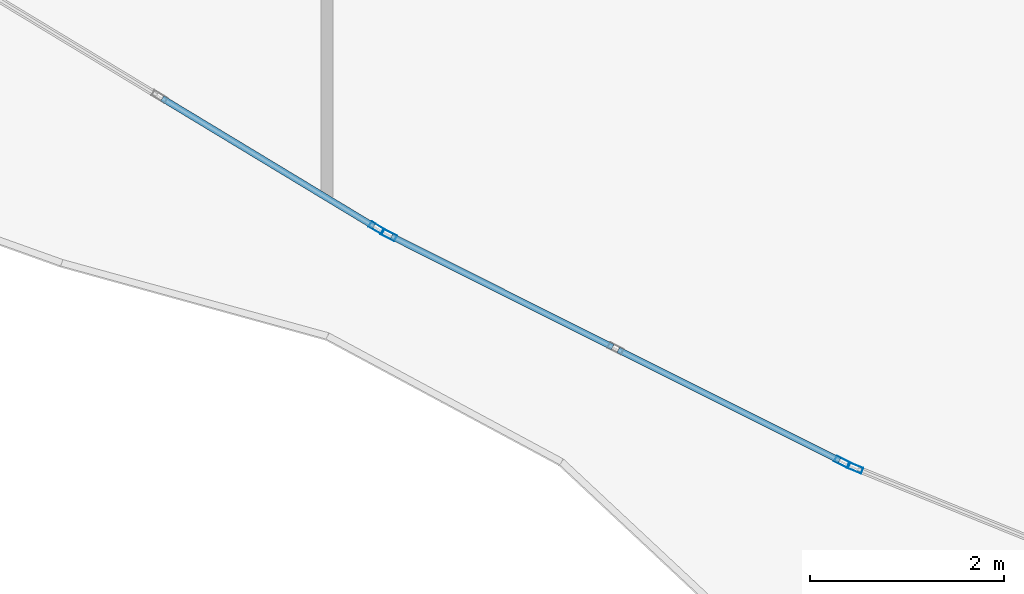
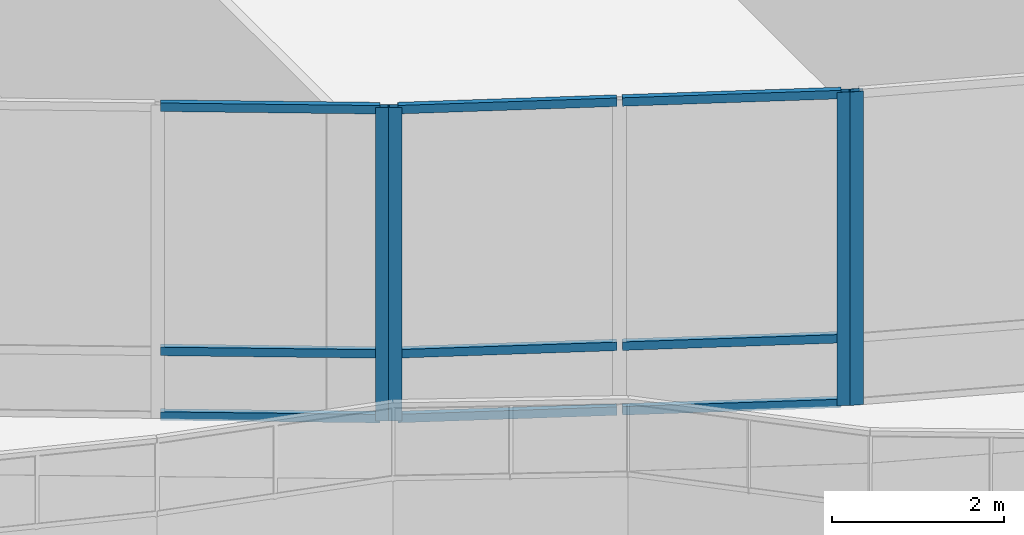
# One storey, part 15 of 168: 13 members, 3 elements without a shape of their own.
"""IFC4 building model written with IfcOpenShell, lengths in metres."""

from ifc_helpers import new_model, si_unit, direction, frame, origin, origin_2d, place, context, subcontext, project, spatial, hollow_rectangle, extrude, material, material_profile, profile_set, type_object, element, aggregate, save


model = new_model("IFC4")

# Units and contexts
model_context = context("Model", 3, precision=1e-05, world=origin(), true_north=direction((0.0, 1.0)))
body_context = subcontext(model_context, "Body", "Model", "MODEL_VIEW")
ifc_project = project(units=[si_unit("LENGTHUNIT", "METRE"), si_unit("AREAUNIT", "SQUARE_METRE"), si_unit("VOLUMEUNIT", "CUBIC_METRE"), si_unit("PLANEANGLEUNIT", "RADIAN"), si_unit("MASSUNIT", "GRAM", prefix="KILO")], contexts=[model_context])

# Site, building, storey
site_placement = place(None, origin())
site = spatial("IfcSite", under=ifc_project, at=site_placement, CompositionType="ELEMENT")
building_placement = place(site_placement, origin())
building = spatial("IfcBuilding", under=site, at=building_placement, Name="Selatvlak General Hospital", CompositionType="ELEMENT")
storey_placement = place(building_placement, frame((0.0, 0.0, 5.39990234375)))
storey = spatial("IfcBuildingStorey", under=building, at=storey_placement, Name="L01", CompositionType="ELEMENT", Elevation=5.39990234375)

# Curtain wall, member
ifc_material_1 = material(Name="Solar-control Low-E double glazing", Category="glass")
curtain_wall_type_1 = type_object("IfcCurtainWallType", Name="CW-CW-02", PredefinedType="USERDEFINED", material=ifc_material_1)
curtain_wall_1_placement = place(storey_placement, origin())
curtain_wall_1 = element("IfcCurtainWall", 1, at=curtain_wall_1_placement, inside=storey, type_object=curtain_wall_type_1, Name="Glazed facade curtain wall CW-L01-0180", ObjectType="UNITISED CURTAIN WALL", PredefinedType="USERDEFINED")
ifc_material_2 = material(Name="Dark anodised aluminium mullion", Category="aluminium")
ifc_material_profile_1 = material_profile(ifc_material_2, hollow_rectangle(XDim=0.06494140625, YDim=0.159912109375, WallThickness=0.00390625, at=origin_2d()), Name="AL-MUL 65x160x4")
ifc_profile_set_1 = profile_set([ifc_material_profile_1], Name="Dark anodised aluminium mullion")
member_type_1 = type_object("IfcMemberType", Name="CWM-01", PredefinedType="MULLION", material=ifc_profile_set_1)
member_1_placement = place(storey_placement, frame((28.236083984375, 17.976806640625, 0.0), z_axis=(0.0, 0.0, 1.0), x_axis=(-0.375301112069, -0.926902948145, 0.0)))
member_1 = element("IfcMember", 2, at=member_1_placement, type_object=member_type_1, Name="CW-02 mullion 3", PredefinedType="MULLION", context=body_context, shape_type="SweptSolid", body=[
    extrude(hollow_rectangle(XDim=0.06494140625, YDim=0.159912109375, WallThickness=0.00390625, at=origin_2d()), origin(), (0.0, 0.0, 1.0), 4.445068359375),
])
aggregate(curtain_wall_1, [member_1])

# Curtain wall, members
curtain_wall_type_2 = type_object("IfcCurtainWallType", Name="CW-CW-01", PredefinedType="USERDEFINED", material=ifc_material_1)
curtain_wall_2_placement = place(storey_placement, origin())
curtain_wall_2 = element("IfcCurtainWall", 3, at=curtain_wall_2_placement, inside=storey, type_object=curtain_wall_type_2, Name="Glazed facade curtain wall CW-L01-0181", ObjectType="UNITISED CURTAIN WALL", PredefinedType="USERDEFINED")
member_2_placement = place(storey_placement, frame((28.10498046875, 18.03857421875, 0.0), z_axis=(0.0, 0.0, 1.0), x_axis=(-0.44759190875, -0.894237934345, 0.0)))
member_2 = element("IfcMember", 4, at=member_2_placement, type_object=member_type_1, Name="CW-01 mullion 1", PredefinedType="MULLION", context=body_context, shape_type="SweptSolid", body=[
    extrude(hollow_rectangle(XDim=0.06494140625, YDim=0.159912109375, WallThickness=0.00390625, at=origin_2d()), origin(), (0.0, 0.0, 1.0), 4.445068359375),
])
member_3_placement = place(storey_placement, frame((23.43603515625, 20.37548828125, 0.0), z_axis=(0.0, 0.0, 1.0), x_axis=(-0.44759190875, -0.894237934345, 0.0)))
member_3 = element("IfcMember", 5, at=member_3_placement, type_object=member_type_1, Name="CW-01 mullion 3", PredefinedType="MULLION", context=body_context, shape_type="SweptSolid", body=[
    extrude(hollow_rectangle(XDim=0.06494140625, YDim=0.159912109375, WallThickness=0.00390625, at=origin_2d()), origin(), (0.0, 0.0, 1.0), 4.445068359375),
])

# Curtain wall, member
curtain_wall_3_placement = place(storey_placement, origin())
curtain_wall_3 = element("IfcCurtainWall", 6, at=curtain_wall_3_placement, inside=storey, type_object=curtain_wall_type_1, Name="Glazed facade curtain wall CW-L01-0182", ObjectType="UNITISED CURTAIN WALL", PredefinedType="USERDEFINED")
member_4_placement = place(storey_placement, frame((23.310302734375, 20.44775390625, 0.0), z_axis=(0.0, 0.0, 1.0), x_axis=(-0.517412897815, -0.855735878163, 0.0)))
member_4 = element("IfcMember", 7, at=member_4_placement, type_object=member_type_1, Name="CW-02 mullion 1", PredefinedType="MULLION", context=body_context, shape_type="SweptSolid", body=[
    extrude(hollow_rectangle(XDim=0.06494140625, YDim=0.159912109375, WallThickness=0.00390625, at=origin_2d()), origin(), (0.0, 0.0, 1.0), 4.445068359375),
])

# Member
ifc_material_profile_2 = material_profile(ifc_material_2, hollow_rectangle(XDim=0.06494140625, YDim=0.1201171875, WallThickness=0.00390625, at=origin_2d()), Name="AL-TRN 65x120x4")
ifc_profile_set_2 = profile_set([ifc_material_profile_2], Name="Dark anodised aluminium mullion")
member_type_2 = type_object("IfcMemberType", Name="CWT-01", PredefinedType="USERDEFINED", material=ifc_profile_set_2)
member_5_placement = place(storey_placement, frame((28.075927734375, 18.052978515625, 0.03271484375), z_axis=(-0.894235295067, 0.44759718169, 0.0), x_axis=(-0.44759718169, -0.894235295067, 0.0)))
member_5 = element("IfcMember", 8, at=member_5_placement, type_object=member_type_2, Name="CW-01 transom 1.1", ObjectType="TRANSOM", PredefinedType="USERDEFINED", context=body_context, shape_type="SweptSolid", body=[
    extrude(hollow_rectangle(XDim=0.06494140625, YDim=0.1201171875, WallThickness=0.00390625, at=origin_2d()), origin(), (0.0, 0.0, 1.0), 2.545654296875),
])

member_6_placement = place(storey_placement, frame((28.075927734375, 18.052978515625, 0.9501953125), z_axis=(-0.894235295067, 0.44759718169, 0.0), x_axis=(-0.44759718169, -0.894235295067, 0.0)))
member_6 = element("IfcMember", 9, at=member_6_placement, type_object=member_type_2, Name="CW-01 transom 1.2", ObjectType="TRANSOM", PredefinedType="USERDEFINED", context=body_context, shape_type="SweptSolid", body=[
    extrude(hollow_rectangle(XDim=0.06494140625, YDim=0.1201171875, WallThickness=0.00390625, at=origin_2d()), origin(), (0.0, 0.0, 1.0), 2.545654296875),
])

member_7_placement = place(storey_placement, frame((28.075927734375, 18.052978515625, 4.41259765625), z_axis=(-0.894235295067, 0.44759718169, 0.0), x_axis=(-0.44759718169, -0.894235295067, 0.0)))
member_7 = element("IfcMember", 10, at=member_7_placement, type_object=member_type_2, Name="CW-01 transom 1.3", ObjectType="TRANSOM", PredefinedType="USERDEFINED", context=body_context, shape_type="SweptSolid", body=[
    extrude(hollow_rectangle(XDim=0.06494140625, YDim=0.1201171875, WallThickness=0.00390625, at=origin_2d()), origin(), (0.0, 0.0, 1.0), 2.545654296875),
])

member_8_placement = place(storey_placement, frame((25.741455078125, 19.221435546875, 0.03271484375), z_axis=(-0.894235295067, 0.44759718169, 0.0), x_axis=(-0.44759718169, -0.894235295067, 0.0)))
member_8 = element("IfcMember", 11, at=member_8_placement, type_object=member_type_2, Name="CW-01 transom 2.1", ObjectType="TRANSOM", PredefinedType="USERDEFINED", context=body_context, shape_type="SweptSolid", body=[
    extrude(hollow_rectangle(XDim=0.06494140625, YDim=0.1201171875, WallThickness=0.00390625, at=origin_2d()), origin(), (0.0, 0.0, 1.0), 2.545654296875),
])

member_9_placement = place(storey_placement, frame((25.741455078125, 19.221435546875, 0.9501953125), z_axis=(-0.894235295067, 0.44759718169, 0.0), x_axis=(-0.44759718169, -0.894235295067, 0.0)))
member_9 = element("IfcMember", 12, at=member_9_placement, type_object=member_type_2, Name="CW-01 transom 2.2", ObjectType="TRANSOM", PredefinedType="USERDEFINED", context=body_context, shape_type="SweptSolid", body=[
    extrude(hollow_rectangle(XDim=0.06494140625, YDim=0.1201171875, WallThickness=0.00390625, at=origin_2d()), origin(), (0.0, 0.0, 1.0), 2.545654296875),
])

member_10_placement = place(storey_placement, frame((25.741455078125, 19.221435546875, 4.41259765625), z_axis=(-0.894235295067, 0.44759718169, 0.0), x_axis=(-0.44759718169, -0.894235295067, 0.0)))
member_10 = element("IfcMember", 13, at=member_10_placement, type_object=member_type_2, Name="CW-01 transom 2.3", ObjectType="TRANSOM", PredefinedType="USERDEFINED", context=body_context, shape_type="SweptSolid", body=[
    extrude(hollow_rectangle(XDim=0.06494140625, YDim=0.1201171875, WallThickness=0.00390625, at=origin_2d()), origin(), (0.0, 0.0, 1.0), 2.545654296875),
])

aggregate(curtain_wall_2, [member_2, member_3, member_5, member_6, member_7, member_8, member_9, member_10])

member_11_placement = place(storey_placement, frame((23.282470703125, 20.464599609375, 0.03271484375), z_axis=(-0.85573691943, 0.517411175685, 0.0), x_axis=(-0.517411175685, -0.85573691943, 0.0)))
member_11 = element("IfcMember", 14, at=member_11_placement, type_object=member_type_2, Name="CW-02 transom 1.1", ObjectType="TRANSOM", PredefinedType="USERDEFINED", context=body_context, shape_type="SweptSolid", body=[
    extrude(hollow_rectangle(XDim=0.06494140625, YDim=0.1201171875, WallThickness=0.00390625, at=origin_2d()), origin(), (0.0, 0.0, 1.0), 2.546630859375),
])

member_12_placement = place(storey_placement, frame((23.282470703125, 20.464599609375, 0.9501953125), z_axis=(-0.85573691943, 0.517411175685, 0.0), x_axis=(-0.517411175685, -0.85573691943, 0.0)))
member_12 = element("IfcMember", 15, at=member_12_placement, type_object=member_type_2, Name="CW-02 transom 1.2", ObjectType="TRANSOM", PredefinedType="USERDEFINED", context=body_context, shape_type="SweptSolid", body=[
    extrude(hollow_rectangle(XDim=0.06494140625, YDim=0.1201171875, WallThickness=0.00390625, at=origin_2d()), origin(), (0.0, 0.0, 1.0), 2.546630859375),
])

member_13_placement = place(storey_placement, frame((23.282470703125, 20.464599609375, 4.41259765625), z_axis=(-0.85573691943, 0.517411175685, 0.0), x_axis=(-0.517411175685, -0.85573691943, 0.0)))
member_13 = element("IfcMember", 16, at=member_13_placement, type_object=member_type_2, Name="CW-02 transom 1.3", ObjectType="TRANSOM", PredefinedType="USERDEFINED", context=body_context, shape_type="SweptSolid", body=[
    extrude(hollow_rectangle(XDim=0.06494140625, YDim=0.1201171875, WallThickness=0.00390625, at=origin_2d()), origin(), (0.0, 0.0, 1.0), 2.546630859375),
])

aggregate(curtain_wall_3, [member_4, member_11, member_12, member_13])

save(model, "model.ifc")
